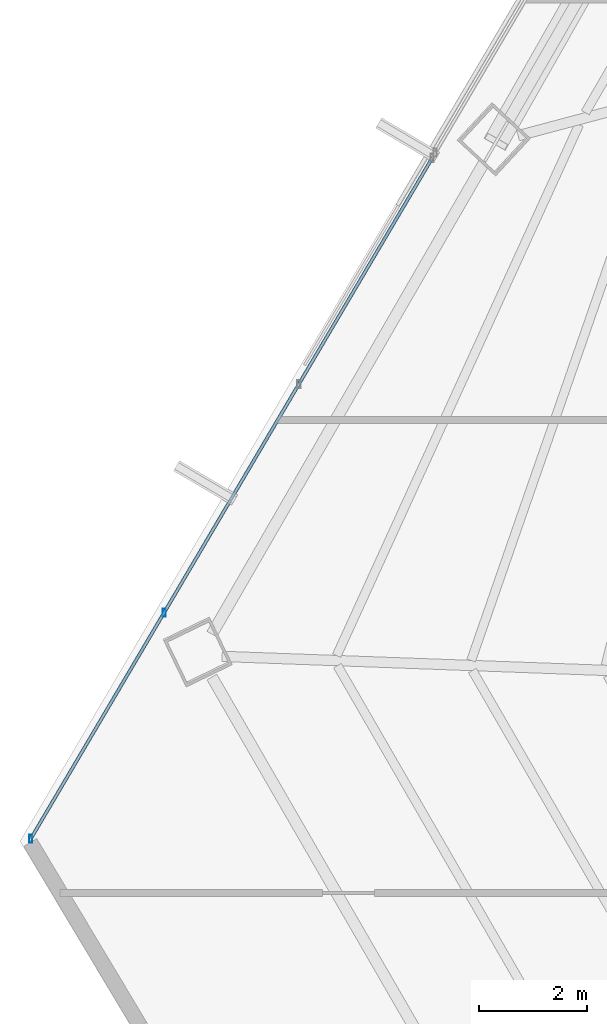
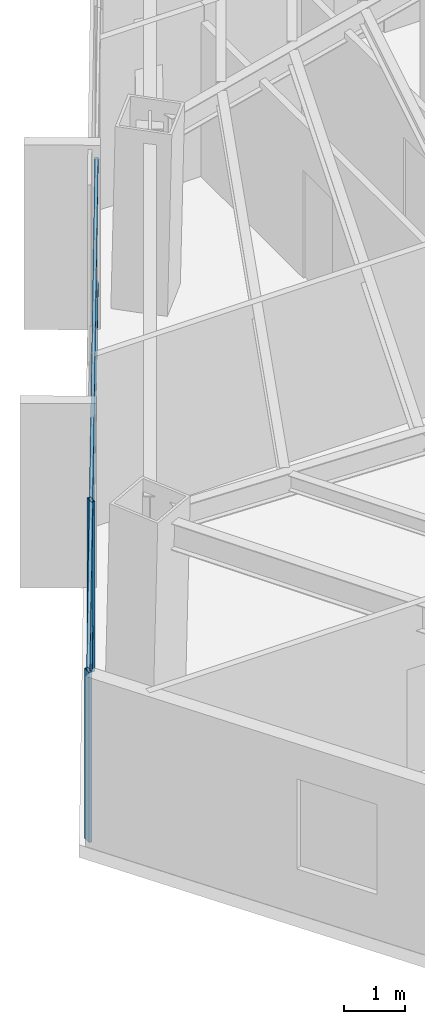
# One storey, part 6 of 41: 4 members, 1 element without a shape of its own.
"""IFC4 building model written with IfcOpenShell, lengths in metres."""

from ifc_helpers import new_model, si_unit, direction, frame, origin, origin_2d, place, context, subcontext, project, spatial, hollow_rectangle, extrude, source, transform, mapped, material, material_profile, profile_set, type_object, type_shapes, element, aggregate, save


model = new_model("IFC4")

# Units and contexts
model_context = context("Model", 3, precision=1e-05, world=origin(), true_north=direction((0.0, 1.0)))
body_context = subcontext(model_context, "Body", "Model", "MODEL_VIEW")
ifc_project = project(units=[si_unit("LENGTHUNIT", "METRE"), si_unit("AREAUNIT", "SQUARE_METRE"), si_unit("VOLUMEUNIT", "CUBIC_METRE"), si_unit("PLANEANGLEUNIT", "RADIAN"), si_unit("MASSUNIT", "GRAM", prefix="KILO")], contexts=[model_context])

# Site, building, storey
site_placement = place(None, origin())
site = spatial("IfcSite", under=ifc_project, at=site_placement, CompositionType="ELEMENT")
building_placement = place(site_placement, origin())
building = spatial("IfcBuilding", under=site, at=building_placement, Name="Caelisora Broadcast Tower", CompositionType="ELEMENT")
storey_placement = place(building_placement, frame((0.0, 0.0, 162.14990234375)))
storey = spatial("IfcBuildingStorey", under=building, at=storey_placement, Name="L42", CompositionType="ELEMENT", Elevation=162.14990234375)

# Curtain wall, members
ifc_material_1 = material(Name="Unitised Aluminium and Low-E Glass Curtain Wall", Category="glass")
curtain_wall_type = type_object("IfcCurtainWallType", Name="CW-Z3", PredefinedType="NOTDEFINED", material=ifc_material_1)
curtain_wall_placement = place(storey_placement, origin())
curtain_wall = element("IfcCurtainWall", 1, at=curtain_wall_placement, inside=storey, type_object=curtain_wall_type, Name="L42 curtain wall CW-Z3", PredefinedType="NOTDEFINED")
ifc_material_2 = material(Name="Aluminium 6063-T6 Anodised Terracotta Bronze", Category="aluminium")
ifc_material_profile_1 = material_profile(ifc_material_2, hollow_rectangle(XDim=0.06005859375, YDim=0.14990234375, WallThickness=0.00341796875, at=origin_2d()), Name="Aluminium 6063-T6 Anodised Terracotta Bronze")
ifc_profile_set_1 = profile_set([ifc_material_profile_1], Name="Aluminium 6063-T6 Anodised Terracotta Bronze")
member_type_1 = type_object("IfcMemberType", Name="CWM-03", PredefinedType="MULLION", material=ifc_profile_set_1)
shared_shape_1 = source(origin(), body_context, "Body", "SweptSolid", [
    extrude(hollow_rectangle(XDim=0.06005859375, YDim=0.14990234375, WallThickness=0.00341796875, at=origin_2d()), origin(), (0.0, 0.0, 1.0), 3.400146484375),
])
type_shapes(member_type_1, [shared_shape_1])
member_1_placement = place(storey_placement, frame((12.370361328125, 14.552978515625, 0.0), z_axis=(0.0, 0.0, 1.0), x_axis=(1.0, 0.0, 0.0)))
member_1 = element("IfcMember", 2, at=member_1_placement, type_object=member_type_1, Name="L42-CW-B09 mullion #0", PredefinedType="MULLION", context=body_context, shape_type="MappedRepresentation", body=[
    mapped(shared_shape_1, transform((0.0, 0.0, 0.0), scale=1.0)),
])
member_2_placement = place(storey_placement, frame((14.84130859375, 18.742919921875, 0.0), z_axis=(0.0, 0.0, 1.0), x_axis=(1.0, 0.0, 0.0)))
member_2 = element("IfcMember", 3, at=member_2_placement, type_object=member_type_1, Name="L42-CW-B09 mullion #1", PredefinedType="MULLION", context=body_context, shape_type="MappedRepresentation", body=[
    mapped(shared_shape_1, transform((0.0, 0.0, 0.0), scale=1.0)),
])
ifc_material_profile_2 = material_profile(ifc_material_2, hollow_rectangle(XDim=0.06005859375, YDim=0.14990234375, WallThickness=0.00341796875, at=origin_2d()), Name="Aluminium 6063-T6 Anodised Terracotta Bronze")
ifc_profile_set_2 = profile_set([ifc_material_profile_2], Name="Aluminium 6063-T6 Anodised Terracotta Bronze")
member_type_2 = type_object("IfcMemberType", Name="CWT-02", PredefinedType="USERDEFINED", material=ifc_profile_set_2)
shared_shape_2 = source(origin(), body_context, "Body", "SweptSolid", [
    extrude(hollow_rectangle(XDim=0.06005859375, YDim=0.14990234375, WallThickness=0.00341796875, at=origin_2d()), origin(), (0.0, 0.0, 1.0), 14.642822265625),
])
type_shapes(member_type_2, [shared_shape_2])
member_3_placement = place(storey_placement, frame((12.370361328125, 14.552978515625, 0.85009765625), z_axis=(0.507948858999, 0.861387228047, 0.0), x_axis=(-0.861387228047, 0.507948858999, 0.0)))
member_3 = element("IfcMember", 4, at=member_3_placement, type_object=member_type_2, Name="L42-CW-B09 transom #1", ObjectType="TRANSOM", PredefinedType="USERDEFINED", context=body_context, shape_type="MappedRepresentation", body=[
    mapped(shared_shape_2, transform((0.0, 0.0, 0.0), scale=1.0)),
])
member_4_placement = place(storey_placement, frame((12.370361328125, 14.552978515625, 3.320068359375), z_axis=(0.507948858999, 0.861387228047, 0.0), x_axis=(-0.861387228047, 0.507948858999, 0.0)))
member_4 = element("IfcMember", 5, at=member_4_placement, type_object=member_type_2, Name="L42-CW-B09 transom #2", ObjectType="TRANSOM", PredefinedType="USERDEFINED", context=body_context, shape_type="MappedRepresentation", body=[
    mapped(shared_shape_2, transform((0.0, 0.0, 0.0), scale=1.0)),
])
aggregate(curtain_wall, [member_1, member_2, member_3, member_4])

save(model, "model.ifc")
